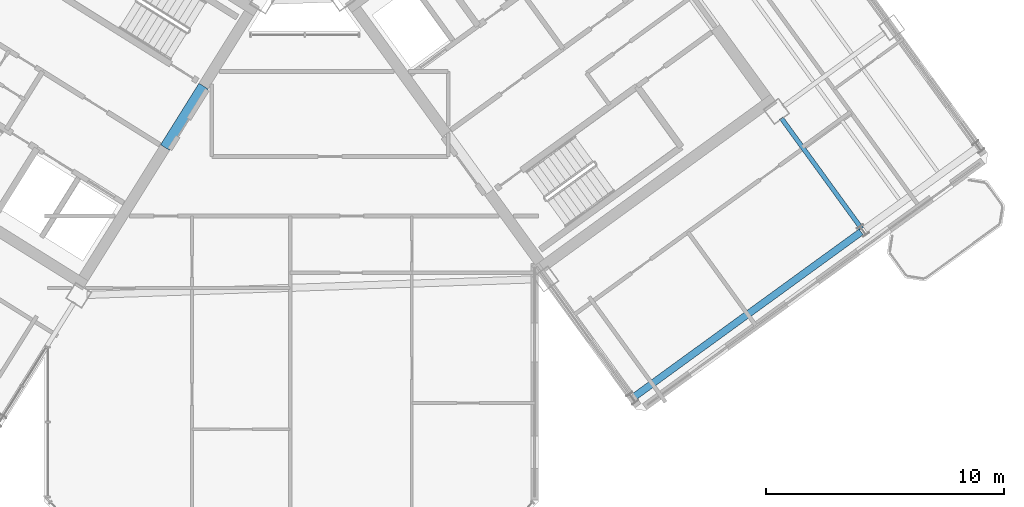
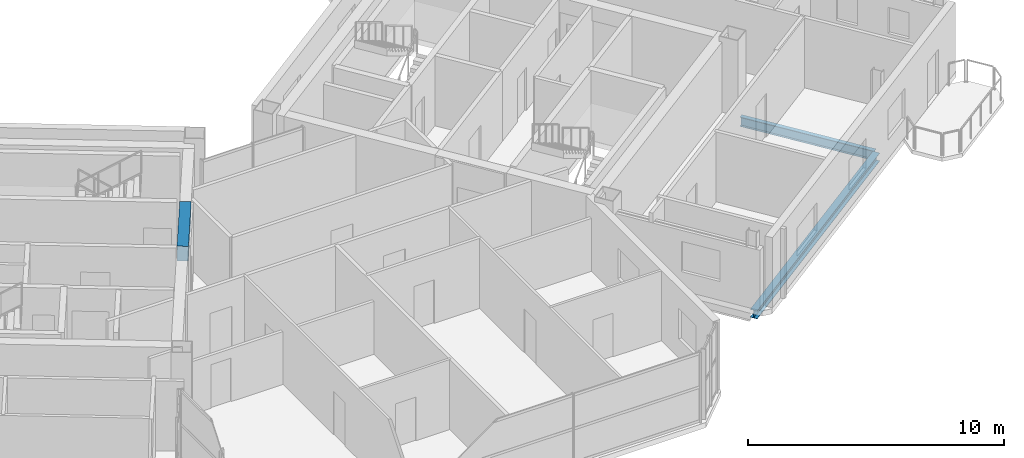
# One storey, part 11 of 29: 3 beams.
"""IFC4 building model written with IfcOpenShell, lengths in metres."""

from ifc_helpers import new_model, si_unit, direction, frame, origin, origin_2d, place, context, subcontext, project, spatial, rectangle, i_section, extrude, source, transform, mapped, material, material_profile, profile_set, type_object, element, save


model = new_model("IFC4")

# Units and contexts
model_context = context("Model", 3, precision=1e-05, world=origin(), true_north=direction((0.0, 1.0)))
body_context = subcontext(model_context, "Body", "Model", "MODEL_VIEW")
ifc_project = project(units=[si_unit("LENGTHUNIT", "METRE"), si_unit("AREAUNIT", "SQUARE_METRE"), si_unit("VOLUMEUNIT", "CUBIC_METRE"), si_unit("PLANEANGLEUNIT", "RADIAN"), si_unit("MASSUNIT", "GRAM", prefix="KILO")], contexts=[model_context])

# Site, building, storey
site_placement = place(None, origin())
site = spatial("IfcSite", under=ifc_project, at=site_placement, CompositionType="ELEMENT")
building_placement = place(site_placement, origin())
building = spatial("IfcBuilding", under=site, at=building_placement, Name="Tlacorven Tower", CompositionType="ELEMENT")
storey_placement = place(building_placement, frame((0.0, 0.0, 238.5)))
storey = spatial("IfcBuildingStorey", under=building, at=storey_placement, Name="L60", CompositionType="ELEMENT", Elevation=238.5)

# Beams
ifc_material_1 = material(Name="Concrete C60/75", Category="concrete")
ifc_material_profile_1 = material_profile(ifc_material_1, rectangle(XDim=0.449951171875, YDim=0.699951171875, at=origin_2d()), Name="RC 450X700")
ifc_profile_set_1 = profile_set([ifc_material_profile_1], Name="Concrete C60/75")
beam_type_1 = type_object("IfcBeamType", Name="BM-LNT-700", PredefinedType="LINTEL", material=ifc_profile_set_1)
shared_shape_1 = source(origin(), body_context, "Body", "SweptSolid", [
    extrude(rectangle(XDim=0.449951171875, YDim=0.699951171875, at=origin_2d()), origin(), (0.0, 0.0, 1.0), 3.050048828125),
])
beam_1_placement = place(storey_placement, frame((38.2998046875, 20.890625, 3.0), z_axis=(-0.529984549635, -0.848007297815, 0.0), x_axis=(0.848007297815, -0.529984549635, 0.0)))
element("IfcBeam", 1, at=beam_1_placement, inside=storey, type_object=beam_type_1, Name="L60 W core coupling lintel beam E1", PredefinedType="LINTEL", context=body_context, shape_type="MappedRepresentation", body=[
    mapped(shared_shape_1, transform((0.0, 0.0, 0.0), scale=1.0)),
])
ifc_material_2 = material(Name="Steel S355J2", Category="steel")
ifc_material_profile_2 = material_profile(ifc_material_2, i_section(OverallWidth=0.300048828125, OverallDepth=0.389892578125, WebThickness=0.010986328125, FlangeThickness=0.01904296875, at=origin_2d()), Name="HEA 400")
ifc_profile_set_2 = profile_set([ifc_material_profile_2], Name="Steel S355J2")
beam_type_2 = type_object("IfcBeamType", Name="BM-SPN-400", PredefinedType="SPANDREL", material=ifc_profile_set_2)
shared_shape_2 = source(origin(), body_context, "Body", "SweptSolid", [
    extrude(i_section(OverallWidth=0.300048828125, OverallDepth=0.389892578125, WebThickness=0.010986328125, FlangeThickness=0.01904296875, at=origin_2d()), origin(), (0.0, 0.0, 1.0), 11.800048828125),
])
beam_2_placement = place(storey_placement, frame((56.4306640625, 7.816162109375, -0.445068359375), z_axis=(0.80900977213, 0.587795192732, 0.0), x_axis=(-0.587795192732, 0.80900977213, 0.0)))
element("IfcBeam", 2, at=beam_2_placement, inside=storey, type_object=beam_type_2, Name="L60 beam BM-L60-EL1-1", PredefinedType="SPANDREL", context=body_context, shape_type="MappedRepresentation", body=[
    mapped(shared_shape_2, transform((0.0, 0.0, 0.0), scale=1.0)),
])
ifc_material_profile_3 = material_profile(ifc_material_2, i_section(OverallWidth=0.18994140625, OverallDepth=0.449951171875, WebThickness=0.009521484375, FlangeThickness=0.0146484375, at=origin_2d()), Name="IPE 450")
ifc_profile_set_3 = profile_set([ifc_material_profile_3], Name="Steel S355J2")
beam_type_3 = type_object("IfcBeamType", Name="BM-TWR-450", PredefinedType="BEAM", material=ifc_profile_set_3)
shared_shape_3 = source(origin(), body_context, "Body", "SweptSolid", [
    extrude(i_section(OverallWidth=0.18994140625, OverallDepth=0.449951171875, WebThickness=0.009521484375, FlangeThickness=0.0146484375, at=origin_2d()), origin(), (0.0, 0.0, 1.0), 5.75),
])
beam_3_placement = place(storey_placement, frame((65.9990234375, 14.891845703125, -0.47509765625), z_axis=(-0.587770208527, 0.809027924097, 0.0), x_axis=(-0.809027924097, -0.587770208527, 0.0)))
element("IfcBeam", 3, at=beam_3_placement, inside=storey, type_object=beam_type_3, Name="L60 beam BM-L60-ET3-1", PredefinedType="BEAM", context=body_context, shape_type="MappedRepresentation", body=[
    mapped(shared_shape_3, transform((0.0, 0.0, 0.0), scale=1.0)),
])

save(model, "model.ifc")
